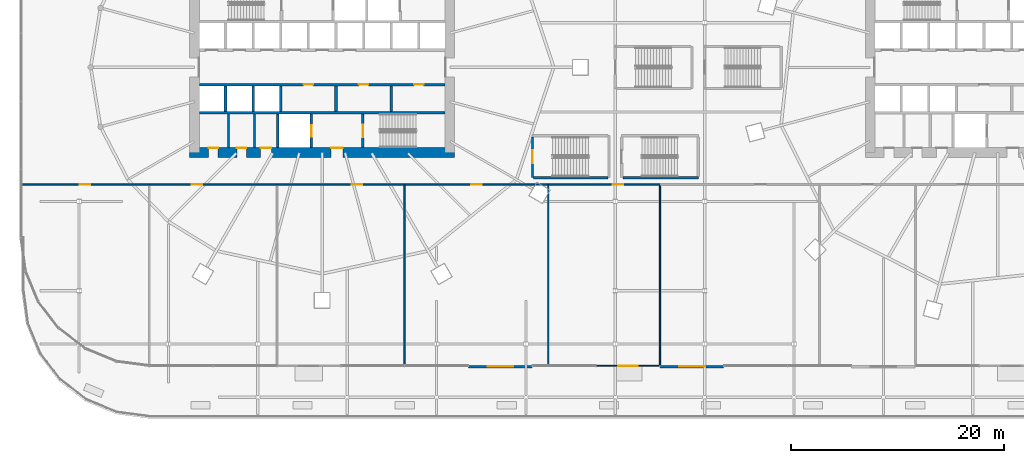
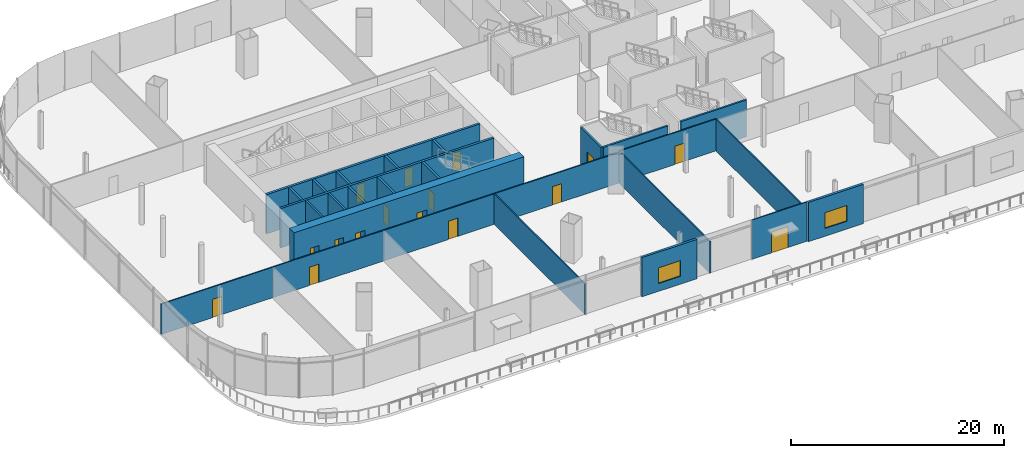
# One storey, part 33 of 52: 27 walls, 16 doors, 2 windows, 18 openings.
"""IFC4 building model written with IfcOpenShell, lengths in metres."""

from ifc_helpers import new_model, si_unit, direction, frame, frame_2d, origin, place, context, subcontext, project, spatial, rectangle, extrude, material, layer, layer_set, type_object, element, fill, save


model = new_model("IFC4")

# Units and contexts
model_context = context("Model", 3, precision=1e-05, world=origin(), true_north=direction((0.0, 1.0)))
body_context = subcontext(model_context, "Body", "Model", "MODEL_VIEW")
ifc_project = project(units=[si_unit("LENGTHUNIT", "METRE"), si_unit("AREAUNIT", "SQUARE_METRE"), si_unit("VOLUMEUNIT", "CUBIC_METRE"), si_unit("PLANEANGLEUNIT", "RADIAN"), si_unit("MASSUNIT", "GRAM", prefix="KILO")], contexts=[model_context])

# Site, building, storey
site_placement = place(None, origin())
site = spatial("IfcSite", under=ifc_project, at=site_placement, CompositionType="ELEMENT")
building_placement = place(site_placement, origin())
building = spatial("IfcBuilding", under=site, at=building_placement, Name="Rimbun Link Towers", CompositionType="ELEMENT")
storey_placement = place(building_placement, frame((0.0, 0.0, 21.0)))
storey = spatial("IfcBuildingStorey", under=building, at=storey_placement, Name="L04", CompositionType="ELEMENT", Elevation=21.0)

# Walls
ifc_material_1 = material(Name="Masonry blockwork", Category="masonry")
ifc_layer_1 = layer(ifc_material_1, 0.199951171875)
ifc_layer_set_1 = layer_set([ifc_layer_1], Name="Core partition 200")
wall_type_1 = type_object("IfcWallType", Name="Core partition 200", PredefinedType="PARTITIONING", material=ifc_layer_set_1)
for number, where, z_axis, x_axis, name in (
    (1, (-40.550048828125, -4.39990234375, 0.0), (0.0, 0.0, 1.0), (0.0, -1.0, 0.0), "L04 T1 core wall C1"),
    (2, (-38.10009765625, -4.39990234375, 0.0), (0.0, 0.0, 1.0), (0.0, -1.0, 0.0), "L04 T1 core wall C2"),
):
    element("IfcWall", number, at=place(storey_placement, frame(where, z_axis=z_axis, x_axis=x_axis)), inside=storey, type_object=wall_type_1, Name=name, PredefinedType="PARTITIONING", context=body_context, shape_type="SweptSolid", body=[
        extrude(rectangle(XDim=3.150146484375, YDim=0.199951171875, at=frame_2d((1.5751953125, 0.0))), origin(), (0.0, 0.0, 1.0), 4.5),
    ])

# Wall, openings, doors
ifc_material_2 = material(Name="Concrete C60/75", Category="concrete")
ifc_layer_2 = layer(ifc_material_2, 0.89990234375)
ifc_layer_set_2 = layer_set([ifc_layer_2], Name="Core shear wall 900")
wall_type_2 = type_object("IfcWallType", Name="Core shear wall 900", PredefinedType="SHEAR", material=ifc_layer_set_2)
wall_1_placement = place(storey_placement, frame((-44.199951171875, -8.0, 0.0), z_axis=(0.0, 0.0, 1.0), x_axis=(1.0, 0.0, 0.0)))
wall_1 = element("IfcWall", 3, at=wall_1_placement, inside=storey, type_object=wall_type_2, Name="L04 T1 core wall S", PredefinedType="SHEAR", context=body_context, shape_type="SweptSolid", body=[
    extrude(rectangle(XDim=24.89990234375, YDim=0.89990234375, at=frame_2d((12.449951171875, 0.0))), origin(), (0.0, 0.0, 1.0), 4.5),
])
opening_1_placement = place(wall_1_placement, frame((13.300048828125, 0.0, 0.0)))
opening_1 = element("IfcOpeningElement", 4, at=opening_1_placement, cuts=wall_1, Name="Opening C1DCF01S", PredefinedType="OPENING", context=body_context, shape_type="SweptSolid", body=[
    extrude(rectangle(XDim=1.10009765625, YDim=2.10009765625, at=frame_2d((0.550048828125, 1.050048828125))), frame((0.0, 0.4599609375, 0.0), z_axis=(0.0, -1.0, 0.0), x_axis=(1.0, 0.0, 0.0)), (0.0, 0.0, 1.0), 0.919921875),
])
opening_2_placement = place(wall_1_placement, frame((1.77490234375, 0.0, 0.0)))
opening_2 = element("IfcOpeningElement", 5, at=opening_2_placement, cuts=wall_1, Name="Opening C1DWC02S", PredefinedType="OPENING", context=body_context, shape_type="SweptSolid", body=[
    extrude(rectangle(XDim=0.89990234375, YDim=2.10009765625, at=frame_2d((0.449951171875, 1.050048828125))), frame((0.0, 0.4599609375, 0.0), z_axis=(0.0, -1.0, 0.0), x_axis=(1.0, 0.0, 0.0)), (0.0, 0.0, 1.0), 0.919921875),
])
opening_3_placement = place(wall_1_placement, frame((4.425048828125, 0.0, 0.0)))
opening_3 = element("IfcOpeningElement", 6, at=opening_3_placement, cuts=wall_1, Name="Opening C1DWC03S", PredefinedType="OPENING", context=body_context, shape_type="SweptSolid", body=[
    extrude(rectangle(XDim=0.89990234375, YDim=2.10009765625, at=frame_2d((0.449951171875, 1.050048828125))), frame((0.0, 0.4599609375, 0.0), z_axis=(0.0, -1.0, 0.0), x_axis=(1.0, 0.0, 0.0)), (0.0, 0.0, 1.0), 0.919921875),
])
opening_4_placement = place(wall_1_placement, frame((6.675048828125, 0.0, 0.0)))
opening_4 = element("IfcOpeningElement", 7, at=opening_4_placement, cuts=wall_1, Name="Opening C1DAW04S", PredefinedType="OPENING", context=body_context, shape_type="SweptSolid", body=[
    extrude(rectangle(XDim=1.0, YDim=2.10009765625, at=frame_2d((0.5, 1.050048828125))), frame((0.0, 0.4599609375, 0.0), z_axis=(0.0, -1.0, 0.0), x_axis=(1.0, 0.0, 0.0)), (0.0, 0.0, 1.0), 0.919921875),
])
ifc_material_3 = material(Name="Timber", Category="wood")
door_type_1 = type_object("IfcDoorType", Name="Accessible WC door", OperationType="SINGLE_SWING_LEFT", PredefinedType="DOOR", material=ifc_material_3)
door_1_placement = place(opening_4_placement, origin())
door_1 = element("IfcDoor", 8, at=door_1_placement, inside=storey, type_object=door_type_1, Name="L04 T1 accessible wc door", OperationType="SINGLE_SWING_RIGHT", OverallHeight=2.10009765625, OverallWidth=1.0, PredefinedType="DOOR", context=body_context, shape_type="SweptSolid", body=[
    extrude(rectangle(XDim=1.0, YDim=2.10009765625, at=frame_2d((0.5, 1.050048828125))), frame((0.0, 0.4501953125, 0.0), z_axis=(0.0, -1.0, 0.0), x_axis=(1.0, 0.0, 0.0)), (0.0, 0.0, 1.0), 0.050048828125),
])
fill(opening_4, door_1)
ifc_material_4 = material(Name="Steel fire door set", Category="steel")
door_type_2 = type_object("IfcDoorType", Name="Core fire door single", OperationType="SINGLE_SWING_LEFT", PredefinedType="DOOR", material=ifc_material_4)
door_2_placement = place(opening_1_placement, origin())
door_2 = element("IfcDoor", 9, at=door_2_placement, inside=storey, type_object=door_type_2, Name="L04 T1 firefighting lobby s door", OperationType="SINGLE_SWING_RIGHT", OverallHeight=2.10009765625, OverallWidth=1.10009765625, PredefinedType="DOOR", context=body_context, shape_type="SweptSolid", body=[
    extrude(rectangle(XDim=1.10009765625, YDim=2.10009765625, at=frame_2d((0.550048828125, 1.050048828125))), frame((0.0, 0.4501953125, 0.0), z_axis=(0.0, -1.0, 0.0), x_axis=(1.0, 0.0, 0.0)), (0.0, 0.0, 1.0), 0.050048828125),
])
fill(opening_1, door_2)
ifc_material_5 = material(Name="Timber", Category="wood")
door_type_3 = type_object("IfcDoorType", Name="WC door", OperationType="SINGLE_SWING_LEFT", PredefinedType="DOOR", material=ifc_material_5)
door_3_placement = place(opening_2_placement, origin())
door_3 = element("IfcDoor", 10, at=door_3_placement, inside=storey, type_object=door_type_3, Name="L04 T1 male wc door", OperationType="SINGLE_SWING_RIGHT", OverallHeight=2.10009765625, OverallWidth=0.89990234375, PredefinedType="DOOR", context=body_context, shape_type="SweptSolid", body=[
    extrude(rectangle(XDim=0.89990234375, YDim=2.10009765625, at=frame_2d((0.449951171875, 1.050048828125))), frame((0.0, 0.4501953125, 0.0), z_axis=(0.0, -1.0, 0.0), x_axis=(1.0, 0.0, 0.0)), (0.0, 0.0, 1.0), 0.050048828125),
])
fill(opening_2, door_3)
door_4_placement = place(opening_3_placement, origin())
door_4 = element("IfcDoor", 11, at=door_4_placement, inside=storey, type_object=door_type_3, Name="L04 T1 female wc door", OperationType="SINGLE_SWING_RIGHT", OverallHeight=2.10009765625, OverallWidth=0.89990234375, PredefinedType="DOOR", context=body_context, shape_type="SweptSolid", body=[
    extrude(rectangle(XDim=0.89990234375, YDim=2.10009765625, at=frame_2d((0.449951171875, 1.050048828125))), frame((0.0, 0.4501953125, 0.0), z_axis=(0.0, -1.0, 0.0), x_axis=(1.0, 0.0, 0.0)), (0.0, 0.0, 1.0), 0.050048828125),
])
fill(opening_3, door_4)

# Wall, opening, door
ifc_material_6 = material(Name="Aluminium framed insulated infill panel", Category="aluminium")
ifc_layer_3 = layer(ifc_material_6, 0.10009765625)
ifc_layer_set_3 = layer_set([ifc_layer_3], Name="ED framed infill wall 100")
wall_type_3 = type_object("IfcWallType", Name="ED framed infill wall 100", PredefinedType="STANDARD", material=ifc_layer_set_3)
wall_2_placement = place(storey_placement, frame((-0.02001953125, -28.050048828125, 0.0), z_axis=(0.0, 0.0, 1.0), x_axis=(-1.0, 0.0, 0.0)))
wall_2 = element("IfcWall", 12, at=wall_2_placement, inside=storey, type_object=wall_type_3, Name="Framed door bay wall", PredefinedType="STANDARD", context=body_context, shape_type="SweptSolid", body=[
    extrude(rectangle(XDim=5.9599609375, YDim=0.10009765625, at=frame_2d((2.97998046875, 0.0))), origin(), (0.0, 0.0, 1.0), 4.5),
])
opening_5_placement = place(wall_2_placement, frame((2.080078125, 0.0, 0.0)))
opening_5 = element("IfcOpeningElement", 13, at=opening_5_placement, cuts=wall_2, Name="Opening ED42", PredefinedType="OPENING", context=body_context, shape_type="SweptSolid", body=[
    extrude(rectangle(XDim=1.800048828125, YDim=2.39990234375, at=frame_2d((0.89990234375, 1.199951171875))), frame((0.0, 0.06005859375, 0.0), z_axis=(0.0, -1.0, 0.0), x_axis=(1.0, 0.0, 0.0)), (0.0, 0.0, 1.0), 0.1201171875),
])
ifc_material_7 = material(Name="Aluminium framed glazed door, low-iron glass", Category="aluminium")
door_type_4 = type_object("IfcDoorType", Name="ED terrace door double leaf 1800X2400", OperationType="DOUBLE_DOOR_SINGLE_SWING", PredefinedType="DOOR", material=ifc_material_7)
door_5_placement = place(opening_5_placement, origin())
door_5 = element("IfcDoor", 14, at=door_5_placement, inside=storey, type_object=door_type_4, Name="Terrace door", OperationType="SINGLE_SWING_LEFT", OverallHeight=2.39990234375, OverallWidth=1.800048828125, PredefinedType="DOOR", context=body_context, shape_type="SweptSolid", body=[
    extrude(rectangle(XDim=1.800048828125, YDim=2.39990234375, at=frame_2d((0.89990234375, 1.199951171875))), frame((0.0, 0.02490234375, 0.0), z_axis=(0.0, -1.0, 0.0), x_axis=(1.0, 0.0, 0.0)), (0.0, 0.0, 1.0), 0.050048828125),
])
fill(opening_5, door_5)

# Wall, opening, window
ifc_material_8 = material(Name="Concrete C32/40, terracotta rainscreen cladding", Category="masonry")
ifc_layer_4 = layer(ifc_material_8, 0.25)
ifc_layer_set_4 = layer_set([ifc_layer_4], Name="PD solid bay wall 250")
wall_type_4 = type_object("IfcWallType", Name="PD solid bay wall 250", PredefinedType="STANDARD", material=ifc_layer_set_4)
wall_3_placement = place(storey_placement, frame((-12.02001953125, -28.125, 0.0), z_axis=(0.0, 0.0, 1.0), x_axis=(-1.0, 0.0, 0.0)))
wall_3 = element("IfcWall", 15, at=wall_3_placement, inside=storey, type_object=wall_type_4, Name="Solid bay wall", PredefinedType="STANDARD", context=body_context, shape_type="SweptSolid", body=[
    extrude(rectangle(XDim=5.9599609375, YDim=0.25, at=frame_2d((2.97998046875, 0.0))), origin(), (0.0, 0.0, 1.0), 4.5),
])
opening_6_placement = place(wall_3_placement, frame((1.780029296875, 0.0, 0.89990234375)))
opening_6 = element("IfcOpeningElement", 16, at=opening_6_placement, cuts=wall_3, Name="Opening WN16", PredefinedType="OPENING", context=body_context, shape_type="SweptSolid", body=[
    extrude(rectangle(XDim=2.39990234375, YDim=1.800048828125, at=frame_2d((1.199951171875, 0.89990234375))), frame((0.0, 0.135009765625, 0.0), z_axis=(0.0, -1.0, 0.0), x_axis=(1.0, 0.0, 0.0)), (0.0, 0.0, 1.0), 0.27001953125),
])
ifc_material_9 = material(Name="Aluminium framed window, low-iron glass", Category="aluminium")
window_type = type_object("IfcWindowType", Name="W1 podium window 2400X1800", PartitioningType="SINGLE_PANEL", PredefinedType="WINDOW", material=ifc_material_9)
window_1_placement = place(opening_6_placement, origin())
window_1 = element("IfcWindow", 17, at=window_1_placement, inside=storey, type_object=window_type, Name="Podium window", OverallHeight=1.800048828125, OverallWidth=2.39990234375, PartitioningType="SINGLE_PANEL", PredefinedType="WINDOW", context=body_context, shape_type="SweptSolid", body=[
    extrude(rectangle(XDim=2.39990234375, YDim=1.800048828125, at=frame_2d((1.199951171875, 0.89990234375))), frame((0.0, 0.030029296875, 0.0), z_axis=(0.0, -1.0, 0.0), x_axis=(1.0, 0.0, 0.0)), (0.0, 0.0, 1.0), 0.06005859375),
])
fill(opening_6, window_1)

wall_4_placement = place(storey_placement, frame((5.97998046875, -28.125, 0.0), z_axis=(0.0, 0.0, 1.0), x_axis=(-1.0, 0.0, 0.0)))
wall_4 = element("IfcWall", 18, at=wall_4_placement, inside=storey, type_object=wall_type_4, Name="Solid bay wall", PredefinedType="STANDARD", context=body_context, shape_type="SweptSolid", body=[
    extrude(rectangle(XDim=5.9599609375, YDim=0.25, at=frame_2d((2.97998046875, 0.0))), origin(), (0.0, 0.0, 1.0), 4.5),
])
opening_7_placement = place(wall_4_placement, frame((1.780029296875, 0.0, 0.89990234375)))
opening_7 = element("IfcOpeningElement", 19, at=opening_7_placement, cuts=wall_4, Name="Opening WN17", PredefinedType="OPENING", context=body_context, shape_type="SweptSolid", body=[
    extrude(rectangle(XDim=2.39990234375, YDim=1.800048828125, at=frame_2d((1.199951171875, 0.89990234375))), frame((0.0, 0.135009765625, 0.0), z_axis=(0.0, -1.0, 0.0), x_axis=(1.0, 0.0, 0.0)), (0.0, 0.0, 1.0), 0.27001953125),
])
window_2_placement = place(opening_7_placement, origin())
window_2 = element("IfcWindow", 20, at=window_2_placement, inside=storey, type_object=window_type, Name="Podium window", OverallHeight=1.800048828125, OverallWidth=2.39990234375, PartitioningType="SINGLE_PANEL", PredefinedType="WINDOW", context=body_context, shape_type="SweptSolid", body=[
    extrude(rectangle(XDim=2.39990234375, YDim=1.800048828125, at=frame_2d((1.199951171875, 0.89990234375))), frame((0.0, 0.030029296875, 0.0), z_axis=(0.0, -1.0, 0.0), x_axis=(1.0, 0.0, 0.0)), (0.0, 0.0, 1.0), 0.06005859375),
])
fill(opening_7, window_2)

# Wall, opening, door
ifc_material_10 = material(Name="Gypsum board on steel studs", Category="steel")
ifc_layer_5 = layer(ifc_material_10, 0.125)
ifc_layer_set_5 = layer_set([ifc_layer_5], Name="Partition 125 board on studs")
wall_type_5 = type_object("IfcWallType", Name="Partition 125 board on studs", PredefinedType="PARTITIONING", material=ifc_layer_set_5)
wall_5_placement = place(storey_placement, frame((-60.080078125, -11.0, 0.0), z_axis=(0.0, 0.0, 1.0), x_axis=(1.0, 0.0, 0.0)))
wall_5 = element("IfcWall", 21, at=wall_5_placement, inside=storey, type_object=wall_type_5, Name="PD/PW/L04/025", PredefinedType="PARTITIONING", context=body_context, shape_type="SweptSolid", body=[
    extrude(rectangle(XDim=12.080078125, YDim=0.125, at=frame_2d((6.0400390625, 0.0))), origin(), (0.0, 0.0, 1.0), 3.49609375),
])
opening_8_placement = place(wall_5_placement, frame((5.5400390625, 0.0, 0.0)))
opening_8 = element("IfcOpeningElement", 22, at=opening_8_placement, cuts=wall_5, Name="Opening PD D04.01", PredefinedType="OPENING", context=body_context, shape_type="SweptSolid", body=[
    extrude(rectangle(XDim=1.0, YDim=2.10009765625, at=frame_2d((0.5, 1.050048828125))), frame((0.0, 0.072509765625, 0.0), z_axis=(0.0, -1.0, 0.0), x_axis=(1.0, 0.0, 0.0)), (0.0, 0.0, 1.0), 0.14501953125),
])
ifc_material_11 = material(Name="Timber door set", Category="wood")
door_type_5 = type_object("IfcDoorType", Name="Door single leaf 1000 x 2100", OperationType="NOTDEFINED", PredefinedType="DOOR", material=ifc_material_11)
door_6_placement = place(opening_8_placement, origin())
door_6 = element("IfcDoor", 23, at=door_6_placement, inside=storey, type_object=door_type_5, Name="PD/DR/L04/001", OperationType="SINGLE_SWING_RIGHT", OverallHeight=2.10009765625, OverallWidth=1.0, PredefinedType="DOOR", context=body_context, shape_type="SweptSolid", body=[
    extrude(rectangle(XDim=1.0, YDim=2.10009765625, at=frame_2d((0.5, 1.050048828125))), frame((0.0, 0.02490234375, 0.0), z_axis=(0.0, -1.0, 0.0), x_axis=(1.0, 0.0, 0.0)), (0.0, 0.0, 1.0), 0.050048828125),
])
fill(opening_8, door_6)

wall_6_placement = place(storey_placement, frame((-48.0, -11.0, 0.0), z_axis=(0.0, 0.0, 1.0), x_axis=(1.0, 0.0, 0.0)))
wall_6 = element("IfcWall", 24, at=wall_6_placement, inside=storey, type_object=wall_type_5, Name="PD/PW/L04/026", PredefinedType="PARTITIONING", context=body_context, shape_type="SweptSolid", body=[
    extrude(rectangle(XDim=12.0, YDim=0.125, at=frame_2d((6.0, 0.0))), origin(), (0.0, 0.0, 1.0), 3.49609375),
])
opening_9_placement = place(wall_6_placement, frame((3.985107421875, 0.0, 0.0)))
opening_9 = element("IfcOpeningElement", 25, at=opening_9_placement, cuts=wall_6, Name="Opening PD D04.02", PredefinedType="OPENING", context=body_context, shape_type="SweptSolid", body=[
    extrude(rectangle(XDim=1.0, YDim=2.10009765625, at=frame_2d((0.5, 1.050048828125))), frame((0.0, 0.072509765625, 0.0), z_axis=(0.0, -1.0, 0.0), x_axis=(1.0, 0.0, 0.0)), (0.0, 0.0, 1.0), 0.14501953125),
])
door_7_placement = place(opening_9_placement, origin())
door_7 = element("IfcDoor", 26, at=door_7_placement, inside=storey, type_object=door_type_5, Name="PD/DR/L04/002", OperationType="SINGLE_SWING_LEFT", OverallHeight=2.10009765625, OverallWidth=1.0, PredefinedType="DOOR", context=body_context, shape_type="SweptSolid", body=[
    extrude(rectangle(XDim=1.0, YDim=2.10009765625, at=frame_2d((0.5, 1.050048828125))), frame((0.0, 0.02490234375, 0.0), z_axis=(0.0, -1.0, 0.0), x_axis=(1.0, 0.0, 0.0)), (0.0, 0.0, 1.0), 0.050048828125),
])
fill(opening_9, door_7)

wall_7_placement = place(storey_placement, frame((-36.0, -11.0, 0.0), z_axis=(0.0, 0.0, 1.0), x_axis=(1.0, 0.0, 0.0)))
wall_7 = element("IfcWall", 27, at=wall_7_placement, inside=storey, type_object=wall_type_5, Name="PD/PW/L04/027", PredefinedType="PARTITIONING", context=body_context, shape_type="SweptSolid", body=[
    extrude(rectangle(XDim=12.0, YDim=0.125, at=frame_2d((6.0, 0.0))), origin(), (0.0, 0.0, 1.0), 3.49609375),
])
opening_10_placement = place(wall_7_placement, frame((7.014892578125, 0.0, 0.0)))
opening_10 = element("IfcOpeningElement", 28, at=opening_10_placement, cuts=wall_7, Name="Opening PD D04.03", PredefinedType="OPENING", context=body_context, shape_type="SweptSolid", body=[
    extrude(rectangle(XDim=1.0, YDim=2.10009765625, at=frame_2d((0.5, 1.050048828125))), frame((0.0, 0.072509765625, 0.0), z_axis=(0.0, -1.0, 0.0), x_axis=(1.0, 0.0, 0.0)), (0.0, 0.0, 1.0), 0.14501953125),
])
door_8_placement = place(opening_10_placement, origin())
door_8 = element("IfcDoor", 29, at=door_8_placement, inside=storey, type_object=door_type_5, Name="PD/DR/L04/003", OperationType="SINGLE_SWING_RIGHT", OverallHeight=2.10009765625, OverallWidth=1.0, PredefinedType="DOOR", context=body_context, shape_type="SweptSolid", body=[
    extrude(rectangle(XDim=1.0, YDim=2.10009765625, at=frame_2d((0.5, 1.050048828125))), frame((0.0, 0.02490234375, 0.0), z_axis=(0.0, -1.0, 0.0), x_axis=(1.0, 0.0, 0.0)), (0.0, 0.0, 1.0), 0.050048828125),
])
fill(opening_10, door_8)

wall_8_placement = place(storey_placement, frame((-24.0, -11.0, 0.0), z_axis=(0.0, 0.0, 1.0), x_axis=(1.0, 0.0, 0.0)))
wall_8 = element("IfcWall", 30, at=wall_8_placement, inside=storey, type_object=wall_type_5, Name="PD/PW/L04/028", PredefinedType="PARTITIONING", context=body_context, shape_type="SweptSolid", body=[
    extrude(rectangle(XDim=13.5, YDim=0.125, at=frame_2d((6.75, 0.0))), origin(), (0.0, 0.0, 1.0), 3.49609375),
])
opening_11_placement = place(wall_8_placement, frame((6.25, 0.0, 0.0)))
opening_11 = element("IfcOpeningElement", 31, at=opening_11_placement, cuts=wall_8, Name="Opening PD D04.04", PredefinedType="OPENING", context=body_context, shape_type="SweptSolid", body=[
    extrude(rectangle(XDim=1.0, YDim=2.10009765625, at=frame_2d((0.5, 1.050048828125))), frame((0.0, 0.072509765625, 0.0), z_axis=(0.0, -1.0, 0.0), x_axis=(1.0, 0.0, 0.0)), (0.0, 0.0, 1.0), 0.14501953125),
])
door_9_placement = place(opening_11_placement, origin())
door_9 = element("IfcDoor", 32, at=door_9_placement, inside=storey, type_object=door_type_5, Name="PD/DR/L04/004", OperationType="SINGLE_SWING_LEFT", OverallHeight=2.10009765625, OverallWidth=1.0, PredefinedType="DOOR", context=body_context, shape_type="SweptSolid", body=[
    extrude(rectangle(XDim=1.0, YDim=2.10009765625, at=frame_2d((0.5, 1.050048828125))), frame((0.0, 0.02490234375, 0.0), z_axis=(0.0, -1.0, 0.0), x_axis=(1.0, 0.0, 0.0)), (0.0, 0.0, 1.0), 0.050048828125),
])
fill(opening_11, door_9)

wall_9_placement = place(storey_placement, frame((-10.5, -11.0, 0.0), z_axis=(0.0, 0.0, 1.0), x_axis=(1.0, 0.0, 0.0)))
wall_9 = element("IfcWall", 33, at=wall_9_placement, inside=storey, type_object=wall_type_5, Name="PD/PW/L04/029", PredefinedType="PARTITIONING", context=body_context, shape_type="SweptSolid", body=[
    extrude(rectangle(XDim=10.5, YDim=0.125, at=frame_2d((5.25, 0.0))), origin(), (0.0, 0.0, 1.0), 3.64697265625),
])
opening_12_placement = place(wall_9_placement, frame((6.0400390625, 0.0, 0.0)))
opening_12 = element("IfcOpeningElement", 34, at=opening_12_placement, cuts=wall_9, Name="Opening PD D04.05", PredefinedType="OPENING", context=body_context, shape_type="SweptSolid", body=[
    extrude(rectangle(XDim=1.0, YDim=2.10009765625, at=frame_2d((0.5, 1.050048828125))), frame((0.0, 0.072509765625, 0.0), z_axis=(0.0, -1.0, 0.0), x_axis=(1.0, 0.0, 0.0)), (0.0, 0.0, 1.0), 0.14501953125),
])
door_10_placement = place(opening_12_placement, origin())
door_10 = element("IfcDoor", 35, at=door_10_placement, inside=storey, type_object=door_type_5, Name="PD/DR/L04/005", OperationType="SINGLE_SWING_RIGHT", OverallHeight=2.10009765625, OverallWidth=1.0, PredefinedType="DOOR", context=body_context, shape_type="SweptSolid", body=[
    extrude(rectangle(XDim=1.0, YDim=2.10009765625, at=frame_2d((0.5, 1.050048828125))), frame((0.0, 0.02490234375, 0.0), z_axis=(0.0, -1.0, 0.0), x_axis=(1.0, 0.0, 0.0)), (0.0, 0.0, 1.0), 0.050048828125),
])
fill(opening_12, door_10)

# Walls
wall_10_placement = place(storey_placement, frame((-24.0, -28.080078125, 0.0), z_axis=(0.0, 0.0, 1.0), x_axis=(0.0, 1.0, 0.0)))
element("IfcWall", 36, at=wall_10_placement, inside=storey, type_object=wall_type_5, Name="PD/PW/L04/047", PredefinedType="PARTITIONING", context=body_context, shape_type="SweptSolid", body=[
    extrude(rectangle(XDim=17.017578125, YDim=0.125, at=frame_2d((8.5087890625, 0.0))), origin(), (0.0, 0.0, 1.0), 3.49609375),
])
for number, where, z_axis, x_axis, name in (
    (37, (-10.5, -28.080078125, 0.0), (0.0, 0.0, 1.0), (0.0, 1.0, 0.0), "PD/PW/L04/048"),
    (38, (0.0, -28.080078125, 0.0), (0.0, 0.0, 1.0), (0.0, 1.0, 0.0), "PD/PW/L04/049"),
):
    element("IfcWall", number, at=place(storey_placement, frame(where, z_axis=z_axis, x_axis=x_axis)), inside=storey, type_object=wall_type_5, Name=name, PredefinedType="PARTITIONING", context=body_context, shape_type="SweptSolid", body=[
        extrude(rectangle(XDim=17.017578125, YDim=0.125, at=frame_2d((8.5087890625, 0.0))), origin(), (0.0, 0.0, 1.0), 3.64697265625),
    ])
ifc_material_12 = material(Name="Concrete C60/75", Category="concrete")
ifc_layer_6 = layer(ifc_material_12, 0.25)
ifc_layer_set_6 = layer_set([ifc_layer_6], Name="Shaft wall 250")
wall_type_6 = type_object("IfcWallType", Name="Shaft wall 250", PredefinedType="SHEAR", material=ifc_layer_set_6)
wall_11_placement = place(storey_placement, frame((-43.300048828125, -4.27490234375, 0.0), z_axis=(0.0, 0.0, 1.0), x_axis=(1.0, 0.0, 0.0)))
element("IfcWall", 39, at=wall_11_placement, inside=storey, type_object=wall_type_6, Name="L04 T1 core wall BS", PredefinedType="SHEAR", context=body_context, shape_type="SweptSolid", body=[
    extrude(rectangle(XDim=23.10009765625, YDim=0.25, at=frame_2d((11.550048828125, 0.0))), origin(), (0.0, 0.0, 1.0), 4.5),
])

# Wall, openings, doors
wall_12_placement = place(storey_placement, frame((-43.300048828125, -1.625, 0.0), z_axis=(0.0, 0.0, 1.0), x_axis=(1.0, 0.0, 0.0)))
wall_12 = element("IfcWall", 40, at=wall_12_placement, inside=storey, type_object=wall_type_6, Name="L04 T1 core wall FS", PredefinedType="SHEAR", context=body_context, shape_type="SweptSolid", body=[
    extrude(rectangle(XDim=23.10009765625, YDim=0.25, at=frame_2d((11.550048828125, 0.0))), origin(), (0.0, 0.0, 1.0), 4.5),
])
opening_13_placement = place(wall_12_placement, frame((9.802734375, 0.0, 0.0)))
opening_13 = element("IfcOpeningElement", 41, at=opening_13_placement, cuts=wall_12, Name="Opening C1DRS01FS", PredefinedType="OPENING", context=body_context, shape_type="SweptSolid", body=[
    extrude(rectangle(XDim=0.89990234375, YDim=2.10009765625, at=frame_2d((0.449951171875, 1.050048828125))), frame((0.0, 0.135009765625, 0.0), z_axis=(0.0, -1.0, 0.0), x_axis=(1.0, 0.0, 0.0)), (0.0, 0.0, 1.0), 0.27001953125),
])
opening_14_placement = place(wall_12_placement, frame((14.99169921875, 0.0, 0.0)))
opening_14 = element("IfcOpeningElement", 42, at=opening_14_placement, cuts=wall_12, Name="Opening C1DRS02FS", PredefinedType="OPENING", context=body_context, shape_type="SweptSolid", body=[
    extrude(rectangle(XDim=0.89990234375, YDim=2.10009765625, at=frame_2d((0.449951171875, 1.050048828125))), frame((0.0, 0.135009765625, 0.0), z_axis=(0.0, -1.0, 0.0), x_axis=(1.0, 0.0, 0.0)), (0.0, 0.0, 1.0), 0.27001953125),
])
opening_15_placement = place(wall_12_placement, frame((20.1806640625, 0.0, 0.0)))
opening_15 = element("IfcOpeningElement", 43, at=opening_15_placement, cuts=wall_12, Name="Opening C1DRS03FS", PredefinedType="OPENING", context=body_context, shape_type="SweptSolid", body=[
    extrude(rectangle(XDim=0.89990234375, YDim=2.10009765625, at=frame_2d((0.449951171875, 1.050048828125))), frame((0.0, 0.135009765625, 0.0), z_axis=(0.0, -1.0, 0.0), x_axis=(1.0, 0.0, 0.0)), (0.0, 0.0, 1.0), 0.27001953125),
])
ifc_material_13 = material(Name="Steel fire door set", Category="steel")
door_type_6 = type_object("IfcDoorType", Name="Core riser door", OperationType="SINGLE_SWING_LEFT", PredefinedType="DOOR", material=ifc_material_13)
door_11_placement = place(opening_13_placement, origin())
door_11 = element("IfcDoor", 44, at=door_11_placement, inside=storey, type_object=door_type_6, Name="L04 T1 server room door", OperationType="SINGLE_SWING_LEFT", OverallHeight=2.10009765625, OverallWidth=0.89990234375, PredefinedType="DOOR", context=body_context, shape_type="SweptSolid", body=[
    extrude(rectangle(XDim=0.89990234375, YDim=2.10009765625, at=frame_2d((0.449951171875, 1.050048828125))), frame((0.0, 0.02490234375, 0.0), z_axis=(0.0, -1.0, 0.0), x_axis=(1.0, 0.0, 0.0)), (0.0, 0.0, 1.0), 0.050048828125),
])
fill(opening_13, door_11)
door_12_placement = place(opening_14_placement, origin())
door_12 = element("IfcDoor", 45, at=door_12_placement, inside=storey, type_object=door_type_6, Name="L04 T1 print room door", OperationType="SINGLE_SWING_LEFT", OverallHeight=2.10009765625, OverallWidth=0.89990234375, PredefinedType="DOOR", context=body_context, shape_type="SweptSolid", body=[
    extrude(rectangle(XDim=0.89990234375, YDim=2.10009765625, at=frame_2d((0.449951171875, 1.050048828125))), frame((0.0, 0.02490234375, 0.0), z_axis=(0.0, -1.0, 0.0), x_axis=(1.0, 0.0, 0.0)), (0.0, 0.0, 1.0), 0.050048828125),
])
fill(opening_14, door_12)
door_13_placement = place(opening_15_placement, origin())
door_13 = element("IfcDoor", 46, at=door_13_placement, inside=storey, type_object=door_type_6, Name="L04 T1 staff lounge door", OperationType="SINGLE_SWING_RIGHT", OverallHeight=2.10009765625, OverallWidth=0.89990234375, PredefinedType="DOOR", context=body_context, shape_type="SweptSolid", body=[
    extrude(rectangle(XDim=0.89990234375, YDim=2.10009765625, at=frame_2d((0.449951171875, 1.050048828125))), frame((0.0, 0.02490234375, 0.0), z_axis=(0.0, -1.0, 0.0), x_axis=(1.0, 0.0, 0.0)), (0.0, 0.0, 1.0), 0.050048828125),
])
fill(opening_15, door_13)

# Walls
for number, where, z_axis, x_axis, name in (
    (47, (-40.83056640625, -4.14990234375, 0.0), (0.0, 0.0, 1.0), (0.0, 1.0, 0.0), "L04 T1 core wall DS0"),
    (48, (-38.236083984375, -4.14990234375, 0.0), (0.0, 0.0, 1.0), (0.0, 1.0, 0.0), "L04 T1 core wall DS1"),
    (49, (-35.6416015625, -4.14990234375, 0.0), (0.0, 0.0, 1.0), (0.0, 1.0, 0.0), "L04 T1 core wall DS2"),
    (50, (-30.452880859375, -4.14990234375, 0.0), (0.0, 0.0, 1.0), (0.0, 1.0, 0.0), "L04 T1 core wall DS4"),
    (51, (-25.263916015625, -4.14990234375, 0.0), (0.0, 0.0, 1.0), (0.0, 1.0, 0.0), "L04 T1 core wall DS6"),
):
    element("IfcWall", number, at=place(storey_placement, frame(where, z_axis=z_axis, x_axis=x_axis)), inside=storey, type_object=wall_type_6, Name=name, PredefinedType="SHEAR", context=body_context, shape_type="SweptSolid", body=[
        extrude(rectangle(XDim=2.39990234375, YDim=0.25, at=frame_2d((1.199951171875, 0.0))), origin(), (0.0, 0.0, 1.0), 4.5),
    ])

# Wall, opening, door
wall_13_placement = place(storey_placement, frame((-27.925048828125, -4.39990234375, 0.0), z_axis=(0.0, 0.0, 1.0), x_axis=(0.0, -1.0, 0.0)))
wall_13 = element("IfcWall", 52, at=wall_13_placement, inside=storey, type_object=wall_type_6, Name="L04 T1 core wall B1", PredefinedType="SHEAR", context=body_context, shape_type="SweptSolid", body=[
    extrude(rectangle(XDim=3.150146484375, YDim=0.25, at=frame_2d((1.5751953125, 0.0))), origin(), (0.0, 0.0, 1.0), 4.5),
])
opening_16_placement = place(wall_13_placement, frame((0.97509765625, 0.0, 0.0)))
opening_16 = element("IfcOpeningElement", 53, at=opening_16_placement, cuts=wall_13, Name="Opening C1DST01B1", PredefinedType="OPENING", context=body_context, shape_type="SweptSolid", body=[
    extrude(rectangle(XDim=1.199951171875, YDim=2.10009765625, at=frame_2d((0.60009765625, 1.050048828125))), frame((0.0, 0.135009765625, 0.0), z_axis=(0.0, -1.0, 0.0), x_axis=(1.0, 0.0, 0.0)), (0.0, 0.0, 1.0), 0.27001953125),
])
ifc_material_14 = material(Name="Steel fire door set", Category="steel")
door_type_7 = type_object("IfcDoorType", Name="Stair door", OperationType="SINGLE_SWING_LEFT", PredefinedType="DOOR", material=ifc_material_14)
door_14_placement = place(opening_16_placement, origin())
door_14 = element("IfcDoor", 54, at=door_14_placement, inside=storey, type_object=door_type_7, Name="L04 T1 stair b door", OperationType="SINGLE_SWING_RIGHT", OverallHeight=2.10009765625, OverallWidth=1.199951171875, PredefinedType="DOOR", context=body_context, shape_type="SweptSolid", body=[
    extrude(rectangle(XDim=1.199951171875, YDim=2.10009765625, at=frame_2d((0.60009765625, 1.050048828125))), frame((0.0, 0.02490234375, 0.0), z_axis=(0.0, -1.0, 0.0), x_axis=(1.0, 0.0, 0.0)), (0.0, 0.0, 1.0), 0.050048828125),
])
fill(opening_16, door_14)

wall_14_placement = place(storey_placement, frame((-32.77490234375, -4.39990234375, 0.0), z_axis=(0.0, 0.0, 1.0), x_axis=(0.0, -1.0, 0.0)))
wall_14 = element("IfcWall", 55, at=wall_14_placement, inside=storey, type_object=wall_type_6, Name="L04 T1 core wall B2", PredefinedType="SHEAR", context=body_context, shape_type="SweptSolid", body=[
    extrude(rectangle(XDim=3.150146484375, YDim=0.25, at=frame_2d((1.5751953125, 0.0))), origin(), (0.0, 0.0, 1.0), 4.5),
])
opening_17_placement = place(wall_14_placement, frame((1.02490234375, 0.0, 0.0)))
opening_17 = element("IfcOpeningElement", 56, at=opening_17_placement, cuts=wall_14, Name="Opening LD-T1-FF2", PredefinedType="OPENING", context=body_context, shape_type="SweptSolid", body=[
    extrude(rectangle(XDim=1.10009765625, YDim=2.10009765625, at=frame_2d((0.550048828125, 1.050048828125))), frame((0.0, 0.135009765625, 0.0), z_axis=(0.0, -1.0, 0.0), x_axis=(1.0, 0.0, 0.0)), (0.0, 0.0, 1.0), 0.27001953125),
])
ifc_material_15 = material(Name="Stainless steel grade 316", Category="steel")
door_type_8 = type_object("IfcDoorType", Name="Lift landing door", OperationType="DOUBLE_DOOR_SLIDING", PredefinedType="DOOR", material=ifc_material_15)
door_15_placement = place(opening_17_placement, origin())
door_15 = element("IfcDoor", 57, at=door_15_placement, inside=storey, type_object=door_type_8, Name="L04 T1 lift FF2 landing door", OperationType="DOUBLE_DOOR_SLIDING", OverallHeight=2.10009765625, OverallWidth=1.10009765625, PredefinedType="DOOR", context=body_context, shape_type="SweptSolid", body=[
    extrude(rectangle(XDim=1.10009765625, YDim=2.10009765625, at=frame_2d((0.550048828125, 1.050048828125))), frame((0.0, 0.02490234375, 0.0), z_axis=(0.0, -1.0, 0.0), x_axis=(1.0, 0.0, 0.0)), (0.0, 0.0, 1.0), 0.050048828125),
])
fill(opening_17, door_15)

# Wall
wall_15_placement = place(storey_placement, frame((-35.925048828125, -4.39990234375, 0.0), z_axis=(0.0, 0.0, 1.0), x_axis=(0.0, -1.0, 0.0)))
element("IfcWall", 58, at=wall_15_placement, inside=storey, type_object=wall_type_6, Name="L04 T1 core wall B3", PredefinedType="SHEAR", context=body_context, shape_type="SweptSolid", body=[
    extrude(rectangle(XDim=3.150146484375, YDim=0.25, at=frame_2d((1.5751953125, 0.0))), origin(), (0.0, 0.0, 1.0), 4.5),
])

# Wall, opening, door
ifc_material_16 = material(Name="Concrete C40/50", Category="concrete")
ifc_layer_7 = layer(ifc_material_16, 0.199951171875)
ifc_layer_set_7 = layer_set([ifc_layer_7], Name="Stair shaft wall 200")
wall_type_7 = type_object("IfcWallType", Name="Stair shaft wall 200", PredefinedType="SOLIDWALL", material=ifc_layer_set_7)
wall_16_placement = place(storey_placement, frame((-12.0, -6.52490234375, 0.0), z_axis=(0.0, 0.0, 1.0), x_axis=(0.0, -1.0, 0.0)))
wall_16 = element("IfcWall", 59, at=wall_16_placement, inside=storey, type_object=wall_type_7, Name="PD/PW/L04/003", PredefinedType="SOLIDWALL", context=body_context, shape_type="SweptSolid", body=[
    extrude(rectangle(XDim=3.85009765625, YDim=0.199951171875, at=frame_2d((1.925048828125, 0.0))), origin(), (0.0, 0.0, 1.0), 4.199951171875),
])
opening_18_placement = place(wall_16_placement, frame((1.27490234375, 0.0, 0.0)))
opening_18 = element("IfcOpeningElement", 60, at=opening_18_placement, cuts=wall_16, Name="Opening PD DS1", PredefinedType="OPENING", context=body_context, shape_type="SweptSolid", body=[
    extrude(rectangle(XDim=1.199951171875, YDim=2.10009765625, at=frame_2d((0.60009765625, 1.050048828125))), frame((0.0, 0.10986328125, 0.0), z_axis=(0.0, -1.0, 0.0), x_axis=(1.0, 0.0, 0.0)), (0.0, 0.0, 1.0), 0.219970703125),
])
door_16_placement = place(opening_18_placement, frame((1.199951171875, 0.0, 0.0), z_axis=(0.0, 0.0, 1.0), x_axis=(-1.0, 0.0, 0.0)))
door_16 = element("IfcDoor", 61, at=door_16_placement, inside=storey, type_object=door_type_7, Name="PD/DR/L04/S1", OperationType="SINGLE_SWING_LEFT", OverallHeight=2.10009765625, OverallWidth=1.199951171875, PredefinedType="DOOR", context=body_context, shape_type="SweptSolid", body=[
    extrude(rectangle(XDim=1.199951171875, YDim=2.10009765625, at=frame_2d((0.60009765625, 1.050048828125))), frame((0.0, 0.02490234375, 0.0), z_axis=(0.0, -1.0, 0.0), x_axis=(1.0, 0.0, 0.0)), (0.0, 0.0, 1.0), 0.050048828125),
])
fill(opening_18, door_16)

# Walls
wall_17_placement = place(storey_placement, frame((-11.89990234375, -10.375, 0.0), z_axis=(0.0, 0.0, 1.0), x_axis=(1.0, 0.0, 0.0)))
element("IfcWall", 62, at=wall_17_placement, inside=storey, type_object=wall_type_7, Name="PD/PW/L04/004", PredefinedType="SOLIDWALL", context=body_context, shape_type="SweptSolid", body=[
    extrude(rectangle(XDim=7.0, YDim=0.199951171875, at=frame_2d((3.5, 0.0))), origin(), (0.0, 0.0, 1.0), 4.199951171875),
])
wall_18_placement = place(storey_placement, frame((-3.5, -10.375, 0.0), z_axis=(0.0, 0.0, 1.0), x_axis=(1.0, 0.0, 0.0)))
element("IfcWall", 63, at=wall_18_placement, inside=storey, type_object=wall_type_7, Name="PD/PW/L04/007", PredefinedType="SOLIDWALL", context=body_context, shape_type="SweptSolid", body=[
    extrude(rectangle(XDim=7.10009765625, YDim=0.199951171875, at=frame_2d((3.550048828125, 0.0))), origin(), (0.0, 0.0, 1.0), 4.199951171875),
])

save(model, "model.ifc")
